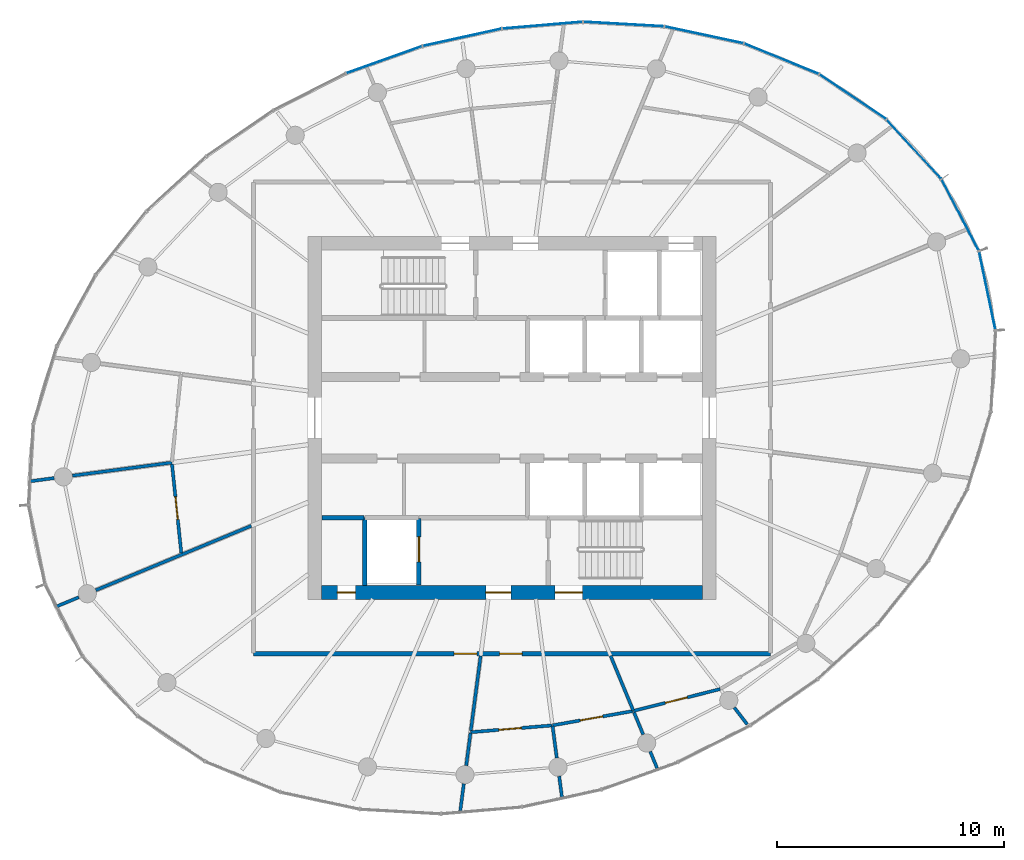
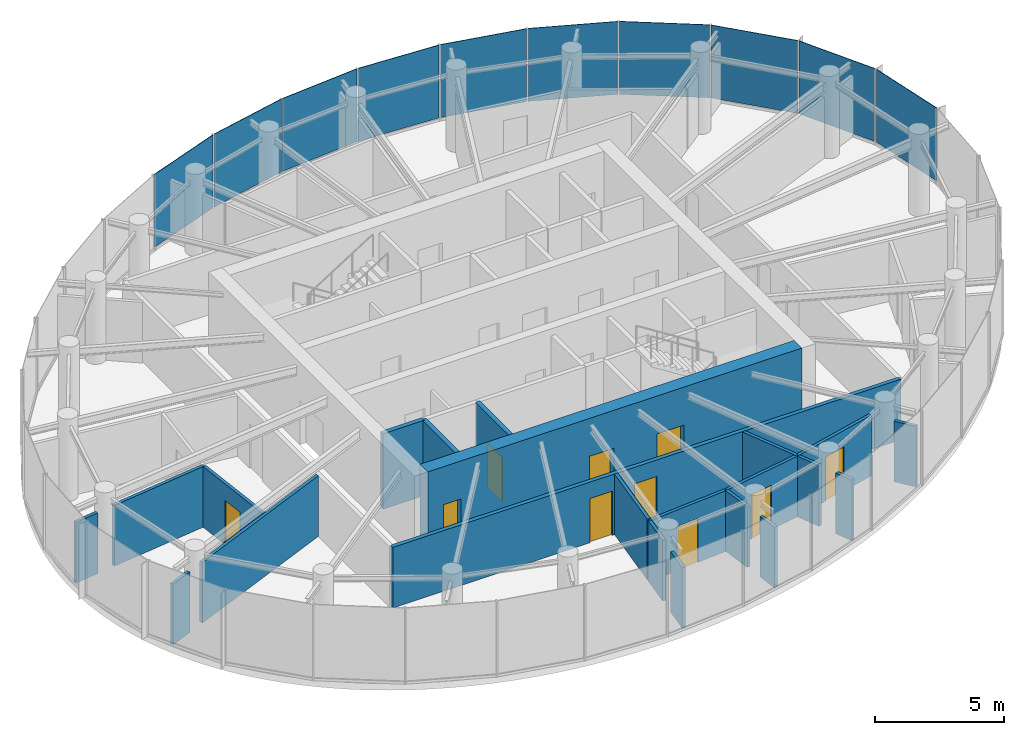
# One storey, part 8 of 13: 22 walls, 10 doors, 10 plates, 10 openings, 3 elements without a shape of their own.
"""IFC4 building model written with IfcOpenShell, lengths in metres."""

from ifc_helpers import new_model, si_unit, direction, frame, frame_2d, origin, origin_2d, place, context, subcontext, project, spatial, rectangle, extrude, source, transform, mapped, material, layer, layer_set, type_object, element, fill, aggregate, save


model = new_model("IFC4")

# Units and contexts
model_context = context("Model", 3, precision=1e-05, world=origin(), true_north=direction((0.0, 1.0)))
body_context = subcontext(model_context, "Body", "Model", "MODEL_VIEW")
ifc_project = project(units=[si_unit("LENGTHUNIT", "METRE"), si_unit("AREAUNIT", "SQUARE_METRE"), si_unit("VOLUMEUNIT", "CUBIC_METRE"), si_unit("PLANEANGLEUNIT", "RADIAN"), si_unit("MASSUNIT", "GRAM", prefix="KILO")], contexts=[model_context])

# Site, building, storey
site_placement = place(None, origin())
site = spatial("IfcSite", under=ifc_project, at=site_placement, CompositionType="ELEMENT")
building_placement = place(site_placement, origin())
building = spatial("IfcBuilding", under=site, at=building_placement, Name="Spindrift Exchange Tower", CompositionType="ELEMENT")
storey_placement = place(building_placement, frame((0.0, 0.0, 246.199951171875)))
storey = spatial("IfcBuildingStorey", under=building, at=storey_placement, Name="L60", CompositionType="ELEMENT", Elevation=246.199951171875)

# Curtain wall, plates
ifc_material_1 = material(Name="Fritted laminated glass with bronze frame", Category="glass")
ifc_layer_1 = layer(ifc_material_1, 0.159912109375)
ifc_layer_set_1 = layer_set([ifc_layer_1], Name="ZONE 5 BRONZE FRITTED WALL")
curtain_wall_type = type_object("IfcCurtainWallType", Name="ZONE 5 BRONZE FRITTED WALL", PredefinedType="NOTDEFINED", material=ifc_layer_set_1)
curtain_wall_1_placement = place(storey_placement, origin())
curtain_wall_1 = element("IfcCurtainWall", 1, at=curtain_wall_1_placement, inside=storey, type_object=curtain_wall_type, Name="L60 Zone 5 Bronze Fritted Wall run 2", PredefinedType="NOTDEFINED")
ifc_material_2 = material(Name="Bronze fritted laminated glass, open frit", Category="glass")
ifc_layer_2 = layer(ifc_material_2, 0.028076171875)
ifc_layer_set_2 = layer_set([ifc_layer_2], Name="ZONE 5 BRONZE FRITTED WALL PANEL OPEN FRIT 480")
plate_type_1 = type_object("IfcPlateType", Name="ZONE 5 BRONZE FRITTED WALL PANEL OPEN FRIT 480", PredefinedType="CURTAIN_PANEL", material=ifc_layer_set_2)
shared_shape_1 = source(origin(), body_context, "Body", "SweptSolid", [
    extrude(rectangle(XDim=3.52587890625, YDim=0.028076171875, at=origin_2d()), origin(), (0.0, 0.0, 1.0), 3.4599609375),
])
plate_1_placement = place(storey_placement, frame((53.345703125, 65.30419921875, 0.1201171875), z_axis=(0.0, 0.0, 1.0), x_axis=(-0.996459188523, -0.084077854451, 0.0)))
plate_1 = element("IfcPlate", 2, at=plate_1_placement, type_object=plate_type_1, Name="L60 panel CW-5.7", PredefinedType="CURTAIN_PANEL", context=body_context, shape_type="MappedRepresentation", body=[
    mapped(shared_shape_1, transform((0.0, 0.0, 0.0), scale=1.0)),
])
ifc_layer_3 = layer(ifc_material_2, 0.028076171875)
ifc_layer_set_3 = layer_set([ifc_layer_3], Name="ZONE 5 BRONZE FRITTED WALL PANEL OPEN FRIT 360")
plate_type_2 = type_object("IfcPlateType", Name="ZONE 5 BRONZE FRITTED WALL PANEL OPEN FRIT 360", PredefinedType="CURTAIN_PANEL", material=ifc_layer_set_3)
shared_shape_2 = source(origin(), body_context, "Body", "SweptSolid", [
    extrude(rectangle(XDim=3.5263671875, YDim=0.028076171875, at=origin_2d()), origin(), (0.0, 0.0, 1.0), 3.4599609375),
])
plate_2_placement = place(storey_placement, frame((46.366943359375, 63.783203125, 0.1201171875), z_axis=(0.0, 0.0, 1.0), x_axis=(-0.941814234218, -0.336133824875, 0.0)))
plate_2 = element("IfcPlate", 3, at=plate_2_placement, type_object=plate_type_2, Name="L60 panel CW-5.9", PredefinedType="CURTAIN_PANEL", context=body_context, shape_type="MappedRepresentation", body=[
    mapped(shared_shape_2, transform((0.0, 0.0, 0.0), scale=1.0)),
])
ifc_layer_4 = layer(ifc_material_2, 0.028076171875)
ifc_layer_set_4 = layer_set([ifc_layer_4], Name="ZONE 5 BRONZE FRITTED WALL PANEL OPEN FRIT 600")
plate_type_3 = type_object("IfcPlateType", Name="ZONE 5 BRONZE FRITTED WALL PANEL OPEN FRIT 600", PredefinedType="CURTAIN_PANEL", material=ifc_layer_set_4)
shared_shape_3 = source(origin(), body_context, "Body", "SweptSolid", [
    extrude(rectangle(XDim=3.5263671875, YDim=0.028076171875, at=origin_2d()), origin(), (0.0, 0.0, 1.0), 3.4599609375),
])
plate_3_placement = place(storey_placement, frame((49.807373046875, 64.769775390625, 0.1201171875), z_axis=(0.0, 0.0, 1.0), x_axis=(-0.976837268693, -0.213983528553, 0.0)))
plate_3 = element("IfcPlate", 4, at=plate_3_placement, type_object=plate_type_3, Name="L60 panel CW-5.8", PredefinedType="CURTAIN_PANEL", context=body_context, shape_type="MappedRepresentation", body=[
    mapped(shared_shape_3, transform((0.0, 0.0, 0.0), scale=1.0)),
])
aggregate(curtain_wall_1, [plate_1, plate_3, plate_2])

# Curtain wall, plate
curtain_wall_2_placement = place(storey_placement, origin())
curtain_wall_2 = element("IfcCurtainWall", 5, at=curtain_wall_2_placement, inside=storey, type_object=curtain_wall_type, Name="L60 Zone 5 Bronze Fritted Wall run 1", PredefinedType="NOTDEFINED")
shared_shape_4 = source(origin(), body_context, "Body", "SweptSolid", [
    extrude(rectangle(XDim=3.519287109375, YDim=0.028076171875, at=origin_2d()), origin(), (0.0, 0.0, 1.0), 3.4599609375),
])
plate_4_placement = place(storey_placement, frame((69.7216796875, 59.836669921875, 0.1201171875), z_axis=(0.0, 0.0, 1.0), x_axis=(-0.677394833012, 0.735619630114, 0.0)))
plate_4 = element("IfcPlate", 6, at=plate_4_placement, type_object=plate_type_3, Name="L60 panel CW-5.2", PredefinedType="CURTAIN_PANEL", context=body_context, shape_type="MappedRepresentation", body=[
    mapped(shared_shape_4, transform((0.0, 0.0, 0.0), scale=1.0)),
])

curtain_wall_3_placement = place(storey_placement, origin())
curtain_wall_3 = element("IfcCurtainWall", 7, at=curtain_wall_3_placement, inside=storey, type_object=curtain_wall_type, Name="L60 Zone 5 Bronze Fritted Wall run 6", PredefinedType="NOTDEFINED")
shared_shape_5 = source(origin(), body_context, "Body", "SweptSolid", [
    extrude(rectangle(XDim=3.517578125, YDim=0.028076171875, at=origin_2d()), origin(), (0.0, 0.0, 1.0), 3.4599609375),
])
plate_5_placement = place(storey_placement, frame((72.951904296875, 53.596435546875, 0.1201171875), z_axis=(0.0, 0.0, 1.0), x_axis=(-0.203716935835, 0.979029831034, 0.0)))
plate_5 = element("IfcPlate", 8, at=plate_5_placement, type_object=plate_type_1, Name="L60 panel CW-5.34", PredefinedType="CURTAIN_PANEL", context=body_context, shape_type="MappedRepresentation", body=[
    mapped(shared_shape_5, transform((0.0, 0.0, 0.0), scale=1.0)),
])
aggregate(curtain_wall_3, [plate_5])

# Plate
shared_shape_6 = source(origin(), body_context, "Body", "SweptSolid", [
    extrude(rectangle(XDim=3.521484375, YDim=0.028076171875, at=origin_2d()), origin(), (0.0, 0.0, 1.0), 3.4599609375),
])
plate_6_placement = place(storey_placement, frame((67.0224609375, 62.15087890625, 0.1201171875), z_axis=(0.0, 0.0, 1.0), x_axis=(-0.830435496091, 0.557114787841, 0.0)))
plate_6 = element("IfcPlate", 9, at=plate_6_placement, type_object=plate_type_1, Name="L60 panel CW-5.3", PredefinedType="CURTAIN_PANEL", context=body_context, shape_type="MappedRepresentation", body=[
    mapped(shared_shape_6, transform((0.0, 0.0, 0.0), scale=1.0)),
])

shared_shape_7 = source(origin(), body_context, "Body", "SweptSolid", [
    extrude(rectangle(XDim=3.517578125, YDim=0.028076171875, at=origin_2d()), origin(), (0.0, 0.0, 1.0), 3.4599609375),
])
plate_7_placement = place(storey_placement, frame((71.760986328125, 56.93408203125, 0.1201171875), z_axis=(0.0, 0.0, 1.0), x_axis=(-0.462188224264, 0.886781847667, 0.0)))
plate_7 = element("IfcPlate", 10, at=plate_7_placement, type_object=plate_type_3, Name="L60 panel CW-5.1", PredefinedType="CURTAIN_PANEL", context=body_context, shape_type="MappedRepresentation", body=[
    mapped(shared_shape_7, transform((0.0, 0.0, 0.0), scale=1.0)),
])

shared_shape_8 = source(origin(), body_context, "Body", "SweptSolid", [
    extrude(rectangle(XDim=3.5234375, YDim=0.028076171875, at=origin_2d()), origin(), (0.0, 0.0, 1.0), 3.4599609375),
])
plate_8_placement = place(storey_placement, frame((63.876220703125, 63.8251953125, 0.1201171875), z_axis=(0.0, 0.0, 1.0), x_axis=(-0.925957608506, 0.377627471523, 0.0)))
plate_8 = element("IfcPlate", 11, at=plate_8_placement, type_object=plate_type_3, Name="L60 panel CW-5.4", PredefinedType="CURTAIN_PANEL", context=body_context, shape_type="MappedRepresentation", body=[
    mapped(shared_shape_8, transform((0.0, 0.0, 0.0), scale=1.0)),
])

shared_shape_9 = source(origin(), body_context, "Body", "SweptSolid", [
    extrude(rectangle(XDim=3.52490234375, YDim=0.028076171875, at=origin_2d()), origin(), (0.0, 0.0, 1.0), 3.4599609375),
])
plate_9_placement = place(storey_placement, frame((60.464599609375, 64.87744140625, 0.1201171875), z_axis=(0.0, 0.0, 1.0), x_axis=(-0.977773357631, 0.209664639621, 0.0)))
plate_9 = element("IfcPlate", 12, at=plate_9_placement, type_object=plate_type_1, Name="L60 panel CW-5.5", PredefinedType="CURTAIN_PANEL", context=body_context, shape_type="MappedRepresentation", body=[
    mapped(shared_shape_9, transform((0.0, 0.0, 0.0), scale=1.0)),
])

shared_shape_10 = source(origin(), body_context, "Body", "SweptSolid", [
    extrude(rectangle(XDim=3.525390625, YDim=0.028076171875, at=origin_2d()), origin(), (0.0, 0.0, 1.0), 3.4599609375),
])
plate_10_placement = place(storey_placement, frame((56.922119140625, 65.35400390625, 0.1201171875), z_axis=(0.0, 0.0, 1.0), x_axis=(-0.998417981156, 0.056227528, 0.0)))
plate_10 = element("IfcPlate", 13, at=plate_10_placement, type_object=plate_type_2, Name="L60 panel CW-5.6", PredefinedType="CURTAIN_PANEL", context=body_context, shape_type="MappedRepresentation", body=[
    mapped(shared_shape_10, transform((0.0, 0.0, 0.0), scale=1.0)),
])

aggregate(curtain_wall_2, [plate_7, plate_4, plate_6, plate_8, plate_9, plate_10])

# Wall, openings, doors
ifc_material_3 = material(Name="Concrete 50 MPa", Category="concrete")
ifc_layer_5 = layer(ifc_material_3, 0.60009765625)
ifc_layer_set_5 = layer_set([ifc_layer_5], Name="RC Core Wall 600 Concrete 50 MPa")
wall_type_1 = type_object("IfcWallType", Name="RC Core Wall 600 Concrete 50 MPa", PredefinedType="SHEAR", material=ifc_layer_set_5)
wall_1_placement = place(storey_placement, frame((43.60009765625, 40.300048828125, 0.0), z_axis=(0.0, 0.0, 1.0), x_axis=(1.0, 0.0, 0.0)))
wall_1 = element("IfcWall", 14, at=wall_1_placement, inside=storey, type_object=wall_type_1, Name="Core wall S L60", PredefinedType="SHEAR", context=body_context, shape_type="SweptSolid", body=[
    extrude(rectangle(XDim=16.7998046875, YDim=0.60009765625, at=frame_2d((8.39990234375, 0.0))), origin(), (0.0, 0.0, 1.0), 3.900146484375),
])
opening_1_placement = place(wall_1_placement, frame((10.300048828125, 0.0, 0.0)))
opening_1 = element("IfcOpeningElement", 15, at=opening_1_placement, cuts=wall_1, Name="Opening L60-D15", PredefinedType="OPENING", context=body_context, shape_type="SweptSolid", body=[
    extrude(rectangle(XDim=1.199951171875, YDim=2.10009765625, at=frame_2d((0.60009765625, 1.050048828125))), frame((0.0, 0.31005859375, 0.0), z_axis=(0.0, -1.0, 0.0), x_axis=(1.0, 0.0, 0.0)), (0.0, 0.0, 1.0), 0.6201171875),
])
opening_2_placement = place(wall_1_placement, frame((7.25, 0.0, 0.0)))
opening_2 = element("IfcOpeningElement", 16, at=opening_2_placement, cuts=wall_1, Name="Opening L60-D17", PredefinedType="OPENING", context=body_context, shape_type="SweptSolid", body=[
    extrude(rectangle(XDim=1.10009765625, YDim=2.10009765625, at=frame_2d((0.550048828125, 1.050048828125))), frame((0.0, 0.31005859375, 0.0), z_axis=(0.0, -1.0, 0.0), x_axis=(1.0, 0.0, 0.0)), (0.0, 0.0, 1.0), 0.6201171875),
])
opening_3_placement = place(wall_1_placement, frame((0.699951171875, 0.0, 0.0)))
opening_3 = element("IfcOpeningElement", 17, at=opening_3_placement, cuts=wall_1, Name="Opening L60-D18", PredefinedType="OPENING", context=body_context, shape_type="SweptSolid", body=[
    extrude(rectangle(XDim=0.800048828125, YDim=2.10009765625, at=frame_2d((0.39990234375, 1.050048828125))), frame((0.0, 0.31005859375, 0.0), z_axis=(0.0, -1.0, 0.0), x_axis=(1.0, 0.0, 0.0)), (0.0, 0.0, 1.0), 0.6201171875),
])
ifc_material_4 = material(Name="Steel fire door", Category="steel")
door_type_1 = type_object("IfcDoorType", Name="DR-STAIR-1200", OperationType="NOTDEFINED", PredefinedType="DOOR", material=ifc_material_4)
shared_shape_11 = source(origin(), body_context, "Body", "SweptSolid", [
    extrude(rectangle(XDim=1.199951171875, YDim=2.10009765625, at=frame_2d((0.60009765625, 1.050048828125))), frame((0.0, 0.02490234375, 0.0), z_axis=(0.0, -1.0, 0.0), x_axis=(1.0, 0.0, 0.0)), (0.0, 0.0, 1.0), 0.050048828125),
])
door_1_placement = place(opening_1_placement, origin())
door_1 = element("IfcDoor", 18, at=door_1_placement, inside=storey, type_object=door_type_1, Name="L60 Stair door 15", OperationType="SINGLE_SWING_RIGHT", OverallHeight=2.10009765625, OverallWidth=1.199951171875, PredefinedType="DOOR", context=body_context, shape_type="MappedRepresentation", body=[
    mapped(shared_shape_11, transform((0.0, 0.0, 0.0), scale=1.0)),
])
fill(opening_1, door_1)
ifc_material_5 = material(Name="Timber-core fire door", Category="wood")
door_type_2 = type_object("IfcDoorType", Name="DR-LOBBY-1100", OperationType="NOTDEFINED", PredefinedType="DOOR", material=ifc_material_5)
shared_shape_12 = source(origin(), body_context, "Body", "SweptSolid", [
    extrude(rectangle(XDim=1.10009765625, YDim=2.10009765625, at=frame_2d((0.550048828125, 1.050048828125))), frame((0.0, 0.02490234375, 0.0), z_axis=(0.0, -1.0, 0.0), x_axis=(1.0, 0.0, 0.0)), (0.0, 0.0, 1.0), 0.050048828125),
])
door_2_placement = place(opening_2_placement, origin())
door_2 = element("IfcDoor", 19, at=door_2_placement, inside=storey, type_object=door_type_2, Name="L60 Lobby door 17", OperationType="SINGLE_SWING_RIGHT", OverallHeight=2.10009765625, OverallWidth=1.10009765625, PredefinedType="DOOR", context=body_context, shape_type="MappedRepresentation", body=[
    mapped(shared_shape_12, transform((0.0, 0.0, 0.0), scale=1.0)),
])
fill(opening_2, door_2)
ifc_material_6 = material(Name="Steel access door", Category="steel")
door_type_3 = type_object("IfcDoorType", Name="DR-RISER-800", OperationType="NOTDEFINED", PredefinedType="DOOR", material=ifc_material_6)
shared_shape_13 = source(origin(), body_context, "Body", "SweptSolid", [
    extrude(rectangle(XDim=0.800048828125, YDim=2.10009765625, at=frame_2d((0.39990234375, 1.050048828125))), frame((0.0, 0.02490234375, 0.0), z_axis=(0.0, -1.0, 0.0), x_axis=(1.0, 0.0, 0.0)), (0.0, 0.0, 1.0), 0.050048828125),
])
door_3_placement = place(opening_3_placement, origin())
door_3 = element("IfcDoor", 20, at=door_3_placement, inside=storey, type_object=door_type_3, Name="L60 Riser door 18", OperationType="SINGLE_SWING_LEFT", OverallHeight=2.10009765625, OverallWidth=0.800048828125, PredefinedType="DOOR", context=body_context, shape_type="MappedRepresentation", body=[
    mapped(shared_shape_13, transform((0.0, 0.0, 0.0), scale=1.0)),
])
fill(opening_3, door_3)

# Wall
ifc_material_7 = material(Name="Fire-rated plasterboard partition", Category="gypsum")
ifc_layer_6 = layer(ifc_material_7, 0.139892578125)
ifc_layer_set_6 = layer_set([ifc_layer_6], Name="W-PART-140")
wall_type_2 = type_object("IfcWallType", Name="W-PART-140", PredefinedType="PARTITIONING", material=ifc_layer_set_6)
wall_2_placement = place(storey_placement, frame((37.0068359375, 46.026123046875, 0.0), z_axis=(0.0, 0.0, 1.0), x_axis=(-0.991448843636, -0.130495940373, 0.0)))
element("IfcWall", 21, at=wall_2_placement, inside=storey, type_object=wall_type_2, Name="L60 Partition wall 36", PredefinedType="PARTITIONING", context=body_context, shape_type="SweptSolid", body=[
    extrude(rectangle(XDim=4.4208984375, YDim=0.139892578125, at=frame_2d((2.21044921875, 0.0))), origin(), (0.0, 0.0, 1.0), 2.880126953125),
])

# Wall, opening, door
wall_3_placement = place(storey_placement, frame((37.423583984375, 42.0380859375, 0.0), z_axis=(0.0, 0.0, 1.0), x_axis=(-0.10392025581, 0.994585632529, 0.0)))
wall_3 = element("IfcWall", 22, at=wall_3_placement, inside=storey, type_object=wall_type_2, Name="L60 Partition wall 39", PredefinedType="PARTITIONING", context=body_context, shape_type="SweptSolid", body=[
    extrude(rectangle(XDim=3.939697265625, YDim=0.139892578125, at=frame_2d((1.9697265625, 0.0))), origin(), (0.0, 0.0, 1.0), 2.880126953125),
])
opening_4_placement = place(wall_3_placement, frame((1.48974609375, 0.0, 0.0)))
opening_4 = element("IfcOpeningElement", 23, at=opening_4_placement, cuts=wall_3, Name="Opening L60-D25", PredefinedType="OPENING", context=body_context, shape_type="SweptSolid", body=[
    extrude(rectangle(XDim=1.0, YDim=2.10009765625, at=frame_2d((0.5, 1.050048828125))), frame((0.0, 0.079833984375, 0.0), z_axis=(0.0, -1.0, 0.0), x_axis=(1.0, 0.0, 0.0)), (0.0, 0.0, 1.0), 0.159912109375),
])
door_type_4 = type_object("IfcDoorType", Name="DR-ROOM-1000", OperationType="NOTDEFINED", PredefinedType="DOOR", material=ifc_material_5)
shared_shape_14 = source(origin(), body_context, "Body", "SweptSolid", [
    extrude(rectangle(XDim=1.0, YDim=2.10009765625, at=frame_2d((0.5, 1.050048828125))), frame((0.0, 0.02490234375, 0.0), z_axis=(0.0, -1.0, 0.0), x_axis=(1.0, 0.0, 0.0)), (0.0, 0.0, 1.0), 0.050048828125),
])
door_4_placement = place(opening_4_placement, origin())
door_4 = element("IfcDoor", 24, at=door_4_placement, inside=storey, type_object=door_type_4, Name="L60 Door 25", OperationType="SINGLE_SWING_RIGHT", OverallHeight=2.10009765625, OverallWidth=1.0, PredefinedType="DOOR", context=body_context, shape_type="MappedRepresentation", body=[
    mapped(shared_shape_14, transform((0.0, 0.0, 0.0), scale=1.0)),
])
fill(opening_4, door_4)

wall_4_placement = place(storey_placement, frame((61.175537109375, 36.042236328125, 0.0), z_axis=(0.0, 0.0, 1.0), x_axis=(-0.969740538579, -0.244137845972, 0.0)))
wall_4 = element("IfcWall", 25, at=wall_4_placement, inside=storey, type_object=wall_type_2, Name="L60 Partition wall 40", PredefinedType="PARTITIONING", context=body_context, shape_type="SweptSolid", body=[
    extrude(rectangle(XDim=3.943115234375, YDim=0.139892578125, at=frame_2d((1.9716796875, 0.0))), origin(), (0.0, 0.0, 1.0), 2.880126953125),
])
opening_5_placement = place(wall_4_placement, frame((1.492919921875, 0.0, 0.0)))
opening_5 = element("IfcOpeningElement", 26, at=opening_5_placement, cuts=wall_4, Name="Opening L60-D31", PredefinedType="OPENING", context=body_context, shape_type="SweptSolid", body=[
    extrude(rectangle(XDim=1.0, YDim=2.10009765625, at=frame_2d((0.5, 1.050048828125))), frame((0.0, 0.079833984375, 0.0), z_axis=(0.0, -1.0, 0.0), x_axis=(1.0, 0.0, 0.0)), (0.0, 0.0, 1.0), 0.159912109375),
])
door_5_placement = place(opening_5_placement, origin())
door_5 = element("IfcDoor", 27, at=door_5_placement, inside=storey, type_object=door_type_4, Name="L60 Door 31", OperationType="SINGLE_SWING_RIGHT", OverallHeight=2.10009765625, OverallWidth=1.0, PredefinedType="DOOR", context=body_context, shape_type="MappedRepresentation", body=[
    mapped(shared_shape_14, transform((0.0, 0.0, 0.0), scale=1.0)),
])
fill(opening_5, door_5)

wall_5_placement = place(storey_placement, frame((57.322265625, 35.07421875, 0.0), z_axis=(0.0, 0.0, 1.0), x_axis=(-0.984454859215, -0.175637781149, 0.0)))
wall_5 = element("IfcWall", 28, at=wall_5_placement, inside=storey, type_object=wall_type_2, Name="L60 Partition wall 46", PredefinedType="PARTITIONING", context=body_context, shape_type="SweptSolid", body=[
    extrude(rectangle(XDim=3.59326171875, YDim=0.139892578125, at=frame_2d((1.796630859375, 0.0))), origin(), (0.0, 0.0, 1.0), 2.880126953125),
])
opening_6_placement = place(wall_5_placement, frame((1.343505859375, 0.0, 0.0)))
opening_6 = element("IfcOpeningElement", 29, at=opening_6_placement, cuts=wall_5, Name="Opening L60-D29", PredefinedType="OPENING", context=body_context, shape_type="SweptSolid", body=[
    extrude(rectangle(XDim=1.0, YDim=2.10009765625, at=frame_2d((0.5, 1.050048828125))), frame((0.0, 0.079833984375, 0.0), z_axis=(0.0, -1.0, 0.0), x_axis=(1.0, 0.0, 0.0)), (0.0, 0.0, 1.0), 0.159912109375),
])
door_6_placement = place(opening_6_placement, origin())
door_6 = element("IfcDoor", 30, at=door_6_placement, inside=storey, type_object=door_type_4, Name="L60 Door 29", OperationType="SINGLE_SWING_RIGHT", OverallHeight=2.10009765625, OverallWidth=1.0, PredefinedType="DOOR", context=body_context, shape_type="MappedRepresentation", body=[
    mapped(shared_shape_14, transform((0.0, 0.0, 0.0), scale=1.0)),
])
fill(opening_6, door_6)

wall_6_placement = place(storey_placement, frame((53.7548828125, 34.440673828125, 0.0), z_axis=(0.0, 0.0, 1.0), x_axis=(-0.996527452157, -0.083264861121, 0.0)))
wall_6 = element("IfcWall", 31, at=wall_6_placement, inside=storey, type_object=wall_type_2, Name="L60 Partition wall 47", PredefinedType="PARTITIONING", context=body_context, shape_type="SweptSolid", body=[
    extrude(rectangle(XDim=3.591796875, YDim=0.139892578125, at=frame_2d((1.7958984375, 0.0))), origin(), (0.0, 0.0, 1.0), 2.880126953125),
])
opening_7_placement = place(wall_6_placement, frame((1.341796875, 0.0, 0.0)))
opening_7 = element("IfcOpeningElement", 32, at=opening_7_placement, cuts=wall_6, Name="Opening L60-D28", PredefinedType="OPENING", context=body_context, shape_type="SweptSolid", body=[
    extrude(rectangle(XDim=1.0, YDim=2.10009765625, at=frame_2d((0.5, 1.050048828125))), frame((0.0, 0.079833984375, 0.0), z_axis=(0.0, -1.0, 0.0), x_axis=(1.0, 0.0, 0.0)), (0.0, 0.0, 1.0), 0.159912109375),
])
door_7_placement = place(opening_7_placement, origin())
door_7 = element("IfcDoor", 33, at=door_7_placement, inside=storey, type_object=door_type_4, Name="L60 Door 28", OperationType="SINGLE_SWING_LEFT", OverallHeight=2.10009765625, OverallWidth=1.0, PredefinedType="DOOR", context=body_context, shape_type="MappedRepresentation", body=[
    mapped(shared_shape_14, transform((0.0, 0.0, 0.0), scale=1.0)),
])
fill(opening_7, door_7)

# Walls
wall_7_placement = place(storey_placement, frame((56.34521484375, 37.510009765625, 0.0), z_axis=(0.0, 0.0, 1.0), x_axis=(0.382661342222, -0.923888682239, 0.0)))
element("IfcWall", 34, at=wall_7_placement, inside=storey, type_object=wall_type_2, Name="L60 Partition wall 54", PredefinedType="PARTITIONING", context=body_context, shape_type="SweptSolid", body=[
    extrude(rectangle(XDim=2.6005859375, YDim=0.139892578125, at=frame_2d((1.30029296875, 0.0))), origin(), (0.0, 0.0, 1.0), 2.880126953125),
])
wall_8_placement = place(storey_placement, frame((53.788818359375, 34.413330078125, 0.0), z_axis=(0.0, 0.0, 1.0), x_axis=(0.130441175626, -0.991456050313, 0.0)))
element("IfcWall", 35, at=wall_8_placement, inside=storey, type_object=wall_type_2, Name="L60 Partition wall 60", PredefinedType="PARTITIONING", context=body_context, shape_type="SweptSolid", body=[
    extrude(rectangle(XDim=1.420654296875, YDim=0.139892578125, at=frame_2d((0.71044921875, 0.0))), origin(), (0.0, 0.0, 1.0), 2.880126953125),
])
wall_9_placement = place(storey_placement, frame((57.37890625, 35.01416015625, 0.0), z_axis=(0.0, 0.0, 1.0), x_axis=(0.382624538487, -0.923903924955, 0.0)))
element("IfcWall", 36, at=wall_9_placement, inside=storey, type_object=wall_type_2, Name="L60 Partition wall 69", PredefinedType="PARTITIONING", context=body_context, shape_type="SweptSolid", body=[
    extrude(rectangle(XDim=1.05419921875, YDim=0.139892578125, at=frame_2d((0.527099609375, 0.0))), origin(), (0.0, 0.0, 1.0), 2.880126953125),
])
wall_10_placement = place(storey_placement, frame((31.821533203125, 45.343505859375, 0.0), z_axis=(0.0, 0.0, 1.0), x_axis=(-0.991430180557, -0.130637655674, 0.0)))
element("IfcWall", 37, at=wall_10_placement, inside=storey, type_object=wall_type_2, Name="L60 Partition wall 73", PredefinedType="PARTITIONING", context=body_context, shape_type="SweptSolid", body=[
    extrude(rectangle(XDim=1.069091796875, YDim=0.139892578125, at=frame_2d((0.53466796875, 0.0))), origin(), (0.0, 0.0, 1.0), 2.880126953125),
])
wall_11_placement = place(storey_placement, frame((61.802001953125, 35.225830078125, 0.0), z_axis=(0.0, 0.0, 1.0), x_axis=(0.60870024899, -0.793400281623, 0.0)))
element("IfcWall", 38, at=wall_11_placement, inside=storey, type_object=wall_type_2, Name="L60 Partition wall 77", PredefinedType="PARTITIONING", context=body_context, shape_type="SweptSolid", body=[
    extrude(rectangle(XDim=0.9345703125, YDim=0.139892578125, at=frame_2d((0.46728515625, 0.0))), origin(), (0.0, 0.0, 1.0), 2.880126953125),
])
wall_12_placement = place(storey_placement, frame((54.07958984375, 32.202880859375, 0.0), z_axis=(0.0, 0.0, 1.0), x_axis=(0.130693553311, -0.991422813497, 0.0)))
element("IfcWall", 39, at=wall_12_placement, inside=storey, type_object=wall_type_2, Name="L60 Partition wall 78", PredefinedType="PARTITIONING", context=body_context, shape_type="SweptSolid", body=[
    extrude(rectangle(XDim=0.924560546875, YDim=0.139892578125, at=frame_2d((0.46240234375, 0.0))), origin(), (0.0, 0.0, 1.0), 2.880126953125),
])
wall_13_placement = place(storey_placement, frame((58.09228515625, 33.291748046875, 0.0), z_axis=(0.0, 0.0, 1.0), x_axis=(0.382669005831, -0.923885508045, 0.0)))
element("IfcWall", 40, at=wall_13_placement, inside=storey, type_object=wall_type_2, Name="L60 Partition wall 80", PredefinedType="PARTITIONING", context=body_context, shape_type="SweptSolid", body=[
    extrude(rectangle(XDim=0.79296875, YDim=0.139892578125, at=frame_2d((0.396484375, 0.0))), origin(), (0.0, 0.0, 1.0), 2.880126953125),
])
ifc_layer_7 = layer(ifc_material_7, 0.139892578125)
ifc_layer_set_7 = layer_set([ifc_layer_7], Name="W-PLANT-140")
wall_type_3 = type_object("IfcWallType", Name="W-PLANT-140", PredefinedType="PARTITIONING", material=ifc_layer_set_7)
wall_14_placement = place(storey_placement, frame((33.654541015625, 40.401123046875, 0.0), z_axis=(0.0, 0.0, 1.0), x_axis=(0.92388089155, 0.38268015134, 0.0)))
element("IfcWall", 41, at=wall_14_placement, inside=storey, type_object=wall_type_3, Name="L60 Partition wall 31", PredefinedType="PARTITIONING", context=body_context, shape_type="SweptSolid", body=[
    extrude(rectangle(XDim=7.42041015625, YDim=0.139892578125, at=frame_2d((3.710205078125, 0.0))), origin(), (0.0, 0.0, 1.0), 2.880126953125),
])
wall_15_placement = place(storey_placement, frame((50.618896484375, 37.510009765625, 0.0), z_axis=(0.0, 0.0, 1.0), x_axis=(-0.130509576708, -0.991447048706, 0.0)))
element("IfcWall", 42, at=wall_15_placement, inside=storey, type_object=wall_type_3, Name="L60 Partition wall 50", PredefinedType="PARTITIONING", context=body_context, shape_type="SweptSolid", body=[
    extrude(rectangle(XDim=3.326171875, YDim=0.139892578125, at=frame_2d((1.6630859375, 0.0))), origin(), (0.0, 0.0, 1.0), 2.880126953125),
])
wall_16_placement = place(storey_placement, frame((50.171630859375, 34.11181640625, 0.0), z_axis=(0.0, 0.0, 1.0), x_axis=(-0.130602153648, -0.991434857902, 0.0)))
element("IfcWall", 43, at=wall_16_placement, inside=storey, type_object=wall_type_3, Name="L60 Partition wall 59", PredefinedType="PARTITIONING", context=body_context, shape_type="SweptSolid", body=[
    extrude(rectangle(XDim=1.454345703125, YDim=0.139892578125, at=frame_2d((0.72705078125, 0.0))), origin(), (0.0, 0.0, 1.0), 2.880126953125),
])
wall_17_placement = place(storey_placement, frame((49.876220703125, 31.86767578125, 0.0), z_axis=(0.0, 0.0, 1.0), x_axis=(-0.130570798277, -0.991438987854, 0.0)))
element("IfcWall", 44, at=wall_17_placement, inside=storey, type_object=wall_type_3, Name="L60 Partition wall 68", PredefinedType="PARTITIONING", context=body_context, shape_type="SweptSolid", body=[
    extrude(rectangle(XDim=1.19482421875, YDim=0.139892578125, at=frame_2d((0.597412109375, 0.0))), origin(), (0.0, 0.0, 1.0), 2.880126953125),
])
wall_18_placement = place(storey_placement, frame((32.90625, 40.091064453125, 0.0), z_axis=(0.0, 0.0, 1.0), x_axis=(-0.92391047829, -0.382608714102, 0.0)))
element("IfcWall", 45, at=wall_18_placement, inside=storey, type_object=wall_type_3, Name="L60 Partition wall 75", PredefinedType="PARTITIONING", context=body_context, shape_type="SweptSolid", body=[
    extrude(rectangle(XDim=1.06298828125, YDim=0.139892578125, at=frame_2d((0.531494140625, 0.0))), origin(), (0.0, 0.0, 1.0), 2.880126953125),
])

# Wall, openings, doors
ifc_layer_8 = layer(ifc_material_7, 0.179931640625)
ifc_layer_set_8 = layer_set([ifc_layer_8], Name="W-PLANT-180")
wall_type_4 = type_object("IfcWallType", Name="W-PLANT-180", PredefinedType="PARTITIONING", material=ifc_layer_set_8)
wall_19_placement = place(storey_placement, frame((63.39990234375, 37.60009765625, 0.0), z_axis=(0.0, 0.0, 1.0), x_axis=(-1.0, 0.0, 0.0)))
wall_19 = element("IfcWall", 46, at=wall_19_placement, inside=storey, type_object=wall_type_4, Name="L60 Partition wall 28", PredefinedType="PARTITIONING", context=body_context, shape_type="SweptSolid", body=[
    extrude(rectangle(XDim=22.7998046875, YDim=0.179931640625, at=frame_2d((11.39990234375, 0.0))), origin(), (0.0, 0.0, 1.0), 2.880126953125),
])
opening_8_placement = place(wall_19_placement, frame((12.949951171875, 0.0, 0.0)))
opening_8 = element("IfcOpeningElement", 47, at=opening_8_placement, cuts=wall_19, Name="Opening L60-D26", PredefinedType="OPENING", context=body_context, shape_type="SweptSolid", body=[
    extrude(rectangle(XDim=1.0, YDim=2.10009765625, at=frame_2d((0.5, 1.050048828125))), frame((0.0, 0.099853515625, 0.0), z_axis=(0.0, -1.0, 0.0), x_axis=(1.0, 0.0, 0.0)), (0.0, 0.0, 1.0), 0.199951171875),
])
opening_9_placement = place(wall_19_placement, frame((10.949951171875, 0.0, 0.0)))
opening_9 = element("IfcOpeningElement", 48, at=opening_9_placement, cuts=wall_19, Name="Opening L60-D27", PredefinedType="OPENING", context=body_context, shape_type="SweptSolid", body=[
    extrude(rectangle(XDim=1.0, YDim=2.10009765625, at=frame_2d((0.5, 1.050048828125))), frame((0.0, 0.099853515625, 0.0), z_axis=(0.0, -1.0, 0.0), x_axis=(1.0, 0.0, 0.0)), (0.0, 0.0, 1.0), 0.199951171875),
])
door_8_placement = place(opening_8_placement, origin())
door_8 = element("IfcDoor", 49, at=door_8_placement, inside=storey, type_object=door_type_4, Name="L60 Door 26", OperationType="SINGLE_SWING_LEFT", OverallHeight=2.10009765625, OverallWidth=1.0, PredefinedType="DOOR", context=body_context, shape_type="MappedRepresentation", body=[
    mapped(shared_shape_14, transform((0.0, 0.0, 0.0), scale=1.0)),
])
fill(opening_8, door_8)
door_9_placement = place(opening_9_placement, origin())
door_9 = element("IfcDoor", 50, at=door_9_placement, inside=storey, type_object=door_type_4, Name="L60 Door 27", OperationType="SINGLE_SWING_RIGHT", OverallHeight=2.10009765625, OverallWidth=1.0, PredefinedType="DOOR", context=body_context, shape_type="MappedRepresentation", body=[
    mapped(shared_shape_14, transform((0.0, 0.0, 0.0), scale=1.0)),
])
fill(opening_9, door_9)

# Wall
ifc_material_8 = material(Name="Concrete 40 MPa", Category="concrete")
ifc_layer_9 = layer(ifc_material_8, 0.199951171875)
ifc_layer_set_9 = layer_set([ifc_layer_9], Name="W-SHAFT-200")
wall_type_5 = type_object("IfcWallType", Name="W-SHAFT-200", PredefinedType="SOLIDWALL", material=ifc_layer_set_9)
wall_20_placement = place(storey_placement, frame((45.5, 43.60009765625, 0.0), z_axis=(0.0, 0.0, 1.0), x_axis=(0.0, -1.0, 0.0)))
element("IfcWall", 51, at=wall_20_placement, inside=storey, type_object=wall_type_5, Name="L60 Shaft wall 3", PredefinedType="SOLIDWALL", context=body_context, shape_type="SweptSolid", body=[
    extrude(rectangle(XDim=2.97998046875, YDim=0.199951171875, at=frame_2d((1.489990234375, 0.0))), origin(), (0.0, 0.0, 1.0), 3.580078125),
])

# Wall, opening, door
wall_21_placement = place(storey_placement, frame((47.89990234375, 40.6201171875, 0.0), z_axis=(0.0, 0.0, 1.0), x_axis=(0.0, 1.0, 0.0)))
wall_21 = element("IfcWall", 52, at=wall_21_placement, inside=storey, type_object=wall_type_5, Name="L60 Shaft wall 4", PredefinedType="SOLIDWALL", context=body_context, shape_type="SweptSolid", body=[
    extrude(rectangle(XDim=2.949951171875, YDim=0.199951171875, at=frame_2d((1.47509765625, 0.0))), origin(), (0.0, 0.0, 1.0), 3.580078125),
])
opening_10_placement = place(wall_21_placement, frame((1.030029296875, 0.0, 0.0)))
opening_10 = element("IfcOpeningElement", 53, at=opening_10_placement, cuts=wall_21, Name="Opening L60-D10", PredefinedType="OPENING", context=body_context, shape_type="SweptSolid", body=[
    extrude(rectangle(XDim=1.10009765625, YDim=2.10009765625, at=frame_2d((0.550048828125, 1.050048828125))), frame((0.0, 0.10986328125, 0.0), z_axis=(0.0, -1.0, 0.0), x_axis=(1.0, 0.0, 0.0)), (0.0, 0.0, 1.0), 0.219970703125),
])
ifc_material_9 = material(Name="Stainless steel landing door", Category="steel")
door_type_5 = type_object("IfcDoorType", Name="DR-LANDING-1100-SL", OperationType="DOUBLE_DOOR_SLIDING", PredefinedType="USERDEFINED", material=ifc_material_9)
shared_shape_15 = source(origin(), body_context, "Body", "SweptSolid", [
    extrude(rectangle(XDim=1.10009765625, YDim=2.10009765625, at=frame_2d((0.550048828125, 1.050048828125))), frame((0.0, 0.02490234375, 0.0), z_axis=(0.0, -1.0, 0.0), x_axis=(1.0, 0.0, 0.0)), (0.0, 0.0, 1.0), 0.050048828125),
])
door_10_placement = place(opening_10_placement, origin())
door_10 = element("IfcDoor", 54, at=door_10_placement, inside=storey, type_object=door_type_5, Name="L60 Lift landing door 10", ObjectType="LANDING DOOR", OperationType="DOUBLE_DOOR_SLIDING", OverallHeight=2.10009765625, OverallWidth=1.10009765625, PredefinedType="USERDEFINED", context=body_context, shape_type="MappedRepresentation", body=[
    mapped(shared_shape_15, transform((0.0, 0.0, 0.0), scale=1.0)),
])
fill(opening_10, door_10)

# Wall
wall_22_placement = place(storey_placement, frame((45.469970703125, 43.60009765625, 0.0), z_axis=(0.0, 0.0, 1.0), x_axis=(-1.0, 0.0, 0.0)))
element("IfcWall", 55, at=wall_22_placement, inside=storey, type_object=wall_type_5, Name="L60 Shaft wall 20", PredefinedType="SOLIDWALL", context=body_context, shape_type="SweptSolid", body=[
    extrude(rectangle(XDim=1.849853515625, YDim=0.199951171875, at=frame_2d((0.9248046875, 0.0))), origin(), (0.0, 0.0, 1.0), 3.580078125),
])

save(model, "model.ifc")
